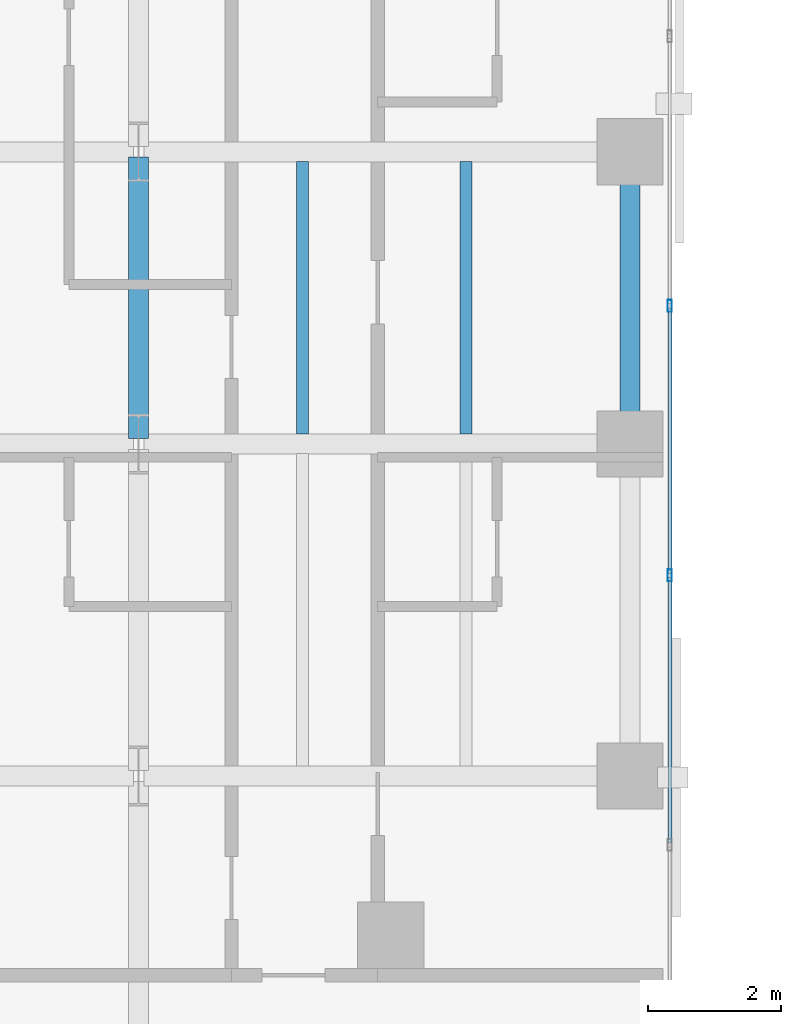
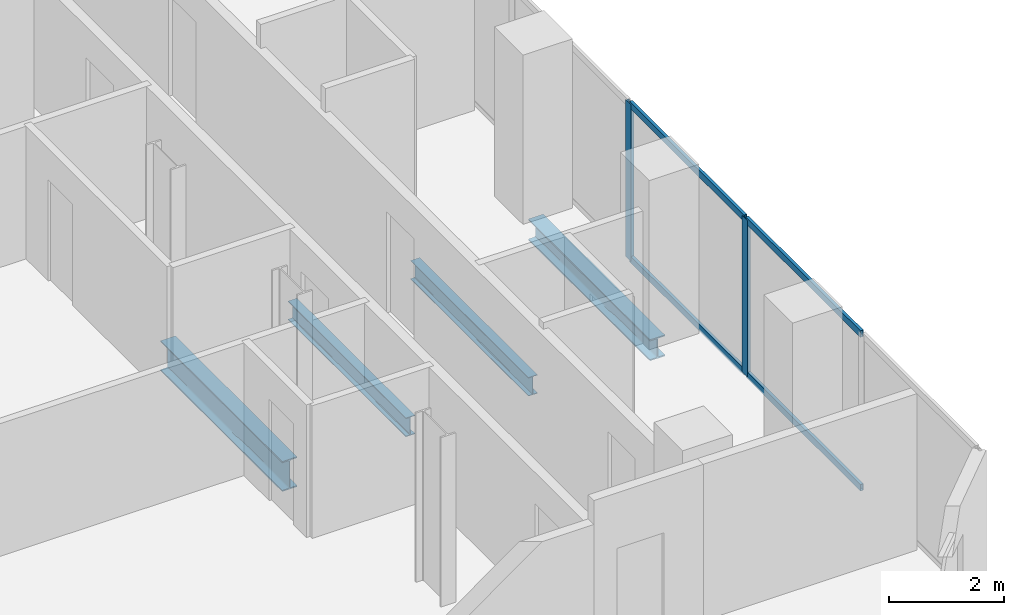
# One storey, part 7 of 31: 6 members, 4 beams, 1 element without a shape of its own.
"""IFC4 building model written with IfcOpenShell, lengths in metres."""

from ifc_helpers import new_model, si_unit, direction, frame, origin, origin_2d, place, context, subcontext, project, spatial, hollow_rectangle, i_section, extrude, material, layer, layer_set, material_profile, profile_set, type_object, element, aggregate, save


model = new_model("IFC4")

# Units and contexts
model_context = context("Model", 3, precision=1e-05, world=origin(), true_north=direction((0.0, 1.0)))
body_context = subcontext(model_context, "Body", "Model", "MODEL_VIEW")
ifc_project = project(units=[si_unit("LENGTHUNIT", "METRE"), si_unit("AREAUNIT", "SQUARE_METRE"), si_unit("VOLUMEUNIT", "CUBIC_METRE"), si_unit("PLANEANGLEUNIT", "RADIAN"), si_unit("MASSUNIT", "GRAM", prefix="KILO")], contexts=[model_context])

# Site, building, storey
site_placement = place(None, origin())
site = spatial("IfcSite", under=ifc_project, at=site_placement, CompositionType="ELEMENT")
building_placement = place(site_placement, origin())
building = spatial("IfcBuilding", under=site, at=building_placement, Name="Catumbela Crestline Tower", CompositionType="ELEMENT")
storey_placement = place(building_placement, frame((0.0, 0.0, 36.6)))
storey = spatial("IfcBuildingStorey", under=building, at=storey_placement, Name="L08", CompositionType="ELEMENT", Elevation=36.6)

# Beams
ifc_material_1 = material(Name="Structural steel S355J2", Category="steel")
ifc_material_profile_1 = material_profile(ifc_material_1, i_section(OverallWidth=0.3, OverallDepth=0.64, WebThickness=0.0135, FlangeThickness=0.026, FilletRadius=0.027, at=origin_2d()), Name="HEA 650")
ifc_profile_set_1 = profile_set([ifc_material_profile_1], Name="Structural steel S355J2")
beam_type_1 = type_object("IfcBeamType", Name="BG-HEA650", PredefinedType="BEAM", material=ifc_profile_set_1)
beam_1_placement = place(storey_placement, frame((16.0, 13.68, -0.58), z_axis=(0.0, 1.0, 0.0), x_axis=(-1.0, 0.0, 0.0)))
element("IfcBeam", 1, at=beam_1_placement, inside=storey, type_object=beam_type_1, Name="L08 Beam BM-L08-WNS66", PredefinedType="BEAM", context=body_context, shape_type="SweptSolid", body=[
    extrude(i_section(OverallWidth=0.3, OverallDepth=0.64, WebThickness=0.0135, FlangeThickness=0.026, FilletRadius=0.027, at=origin_2d()), origin(), (0.0, 0.0, 1.0), 4.24),
])
ifc_material_profile_2 = material_profile(ifc_material_1, i_section(OverallWidth=0.18, OverallDepth=0.4, WebThickness=0.0086, FlangeThickness=0.0135, FilletRadius=0.021, at=origin_2d()), Name="IPE 400")
ifc_profile_set_2 = profile_set([ifc_material_profile_2], Name="Structural steel S355J2")
beam_type_2 = type_object("IfcBeamType", Name="BJ-IPE400", PredefinedType="JOIST", material=ifc_profile_set_2)
for number, where, z_axis, x_axis, name in (
    (2, (18.467, 13.747, -0.46), (0.0, 1.0, 0.0), (-1.0, 0.0, 0.0), "L08 Joist JS-L08-WG80"),
    (3, (20.933, 13.747, -0.46), (0.0, 1.0, 0.0), (-1.0, 0.0, 0.0), "L08 Joist JS-L08-WG81"),
):
    element("IfcBeam", number, at=place(storey_placement, frame(where, z_axis=z_axis, x_axis=x_axis)), inside=storey, type_object=beam_type_2, Name=name, PredefinedType="JOIST", context=body_context, shape_type="SweptSolid", body=[
        extrude(i_section(OverallWidth=0.18, OverallDepth=0.4, WebThickness=0.0086, FlangeThickness=0.0135, FilletRadius=0.021, at=origin_2d()), origin(), (0.0, 0.0, 1.0), 4.106),
    ])

# Curtain wall, members
ifc_material_2 = material(Name="Aluminium alloy AW-6060-T66", Category="aluminium")
ifc_layer = layer(ifc_material_2, 0.18, Name="Aluminium alloy AW-6060-T66")
ifc_layer_set = layer_set([ifc_layer], Name="Aluminium alloy AW-6060-T66")
curtain_wall_type = type_object("IfcCurtainWallType", Name="CWU-Z1", PredefinedType="USERDEFINED", material=ifc_layer_set)
curtain_wall_placement = place(storey_placement, origin())
curtain_wall = element("IfcCurtainWall", 4, at=curtain_wall_placement, inside=storey, type_object=curtain_wall_type, Name="L08 Unitised Curtain Wall CW-L08-E2S1", ObjectType="UNITISED", PredefinedType="USERDEFINED")
ifc_material_profile_3 = material_profile(ifc_material_2, hollow_rectangle(XDim=0.065, YDim=0.18, WallThickness=0.004, at=origin_2d()), Name="ALU 180x65x4")
ifc_profile_set_3 = profile_set([ifc_material_profile_3], Name="Aluminium alloy AW-6060-T66")
member_type_1 = type_object("IfcMemberType", Name="MUL-180X65", PredefinedType="MULLION", material=ifc_profile_set_3)
member_1_placement = place(storey_placement, frame((24.0, 11.62, 0.0), z_axis=(0.0, 0.0, 1.0), x_axis=(-1.0, 0.0, 0.0)))
member_1 = element("IfcMember", 5, at=member_1_placement, type_object=member_type_1, Name="CWU-Z1 mullion 3", PredefinedType="MULLION", context=body_context, shape_type="SweptSolid", body=[
    extrude(hollow_rectangle(XDim=0.065, YDim=0.18, WallThickness=0.004, at=origin_2d()), origin(), (0.0, 0.0, 1.0), 3.33),
])
member_2_placement = place(storey_placement, frame((24.0, 15.68, 0.0), z_axis=(0.0, 0.0, 1.0), x_axis=(-1.0, 0.0, 0.0)))
member_2 = element("IfcMember", 6, at=member_2_placement, type_object=member_type_1, Name="CWU-Z1 mullion 4", PredefinedType="MULLION", context=body_context, shape_type="SweptSolid", body=[
    extrude(hollow_rectangle(XDim=0.065, YDim=0.18, WallThickness=0.004, at=origin_2d()), origin(), (0.0, 0.0, 1.0), 3.33),
])

# Beam
ifc_material_profile_4 = material_profile(ifc_material_1, i_section(OverallWidth=0.3, OverallDepth=0.45, WebThickness=0.014, FlangeThickness=0.026, FilletRadius=0.027, at=origin_2d()), Name="HEB 450")
ifc_profile_set_4 = profile_set([ifc_material_profile_4], Name="Structural steel S355J2")
beam_type_3 = type_object("IfcBeamType", Name="BS-HEB450", PredefinedType="SPANDREL", material=ifc_profile_set_4)
beam_2_placement = place(storey_placement, frame((23.4, 13.68, -0.485), z_axis=(0.0, 1.0, 0.0), x_axis=(-1.0, 0.0, 0.0)))
element("IfcBeam", 7, at=beam_2_placement, inside=storey, type_object=beam_type_3, Name="L08 Spandrel SP-L08-WNS69", PredefinedType="SPANDREL", context=body_context, shape_type="SweptSolid", body=[
    extrude(i_section(OverallWidth=0.3, OverallDepth=0.45, WebThickness=0.014, FlangeThickness=0.026, FilletRadius=0.027, at=origin_2d()), origin(), (0.0, 0.0, 1.0), 4.24),
])

# Member
ifc_material_profile_5 = material_profile(ifc_material_2, hollow_rectangle(XDim=0.06, YDim=0.14, WallThickness=0.004, at=origin_2d()), Name="ALU 140x60x4")
ifc_profile_set_5 = profile_set([ifc_material_profile_5], Name="Aluminium alloy AW-6060-T66")
member_type_2 = type_object("IfcMemberType", Name="TRN-140X60", PredefinedType="USERDEFINED", material=ifc_profile_set_5)
member_3_placement = place(storey_placement, frame((24.0, 7.5925, 0.03), z_axis=(0.0, 1.0, 0.0), x_axis=(-1.0, 0.0, 0.0)))
member_3 = element("IfcMember", 8, at=member_3_placement, type_object=member_type_2, Name="CWU-Z1 transom 2.1", ObjectType="TRANSOM", PredefinedType="USERDEFINED", context=body_context, shape_type="SweptSolid", body=[
    extrude(hollow_rectangle(XDim=0.06, YDim=0.14, WallThickness=0.004, at=origin_2d()), origin(), (0.0, 0.0, 1.0), 3.995),
])

member_4_placement = place(storey_placement, frame((24.0, 7.5925, 3.3), z_axis=(0.0, 1.0, 0.0), x_axis=(-1.0, 0.0, 0.0)))
member_4 = element("IfcMember", 9, at=member_4_placement, type_object=member_type_2, Name="CWU-Z1 transom 2.2", ObjectType="TRANSOM", PredefinedType="USERDEFINED", context=body_context, shape_type="SweptSolid", body=[
    extrude(hollow_rectangle(XDim=0.06, YDim=0.14, WallThickness=0.004, at=origin_2d()), origin(), (0.0, 0.0, 1.0), 3.995),
])

member_5_placement = place(storey_placement, frame((24.0, 11.6525, 0.03), z_axis=(0.0, 1.0, 0.0), x_axis=(-1.0, 0.0, 0.0)))
member_5 = element("IfcMember", 10, at=member_5_placement, type_object=member_type_2, Name="CWU-Z1 transom 3.1", ObjectType="TRANSOM", PredefinedType="USERDEFINED", context=body_context, shape_type="SweptSolid", body=[
    extrude(hollow_rectangle(XDim=0.06, YDim=0.14, WallThickness=0.004, at=origin_2d()), origin(), (0.0, 0.0, 1.0), 3.995),
])

member_6_placement = place(storey_placement, frame((24.0, 11.6525, 3.3), z_axis=(0.0, 1.0, 0.0), x_axis=(-1.0, 0.0, 0.0)))
member_6 = element("IfcMember", 11, at=member_6_placement, type_object=member_type_2, Name="CWU-Z1 transom 3.2", ObjectType="TRANSOM", PredefinedType="USERDEFINED", context=body_context, shape_type="SweptSolid", body=[
    extrude(hollow_rectangle(XDim=0.06, YDim=0.14, WallThickness=0.004, at=origin_2d()), origin(), (0.0, 0.0, 1.0), 3.995),
])

aggregate(curtain_wall, [member_1, member_2, member_3, member_4, member_5, member_6])

save(model, "model.ifc")
